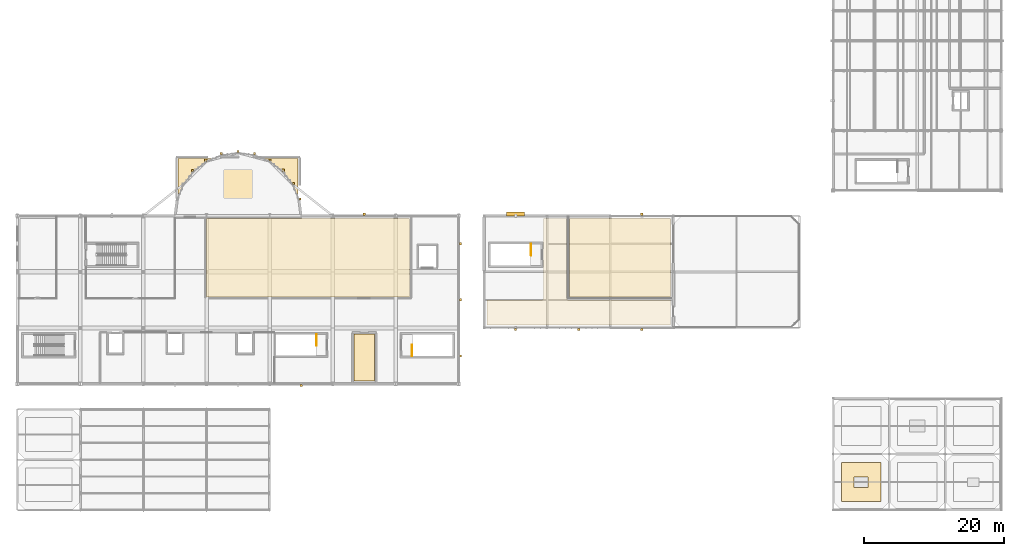
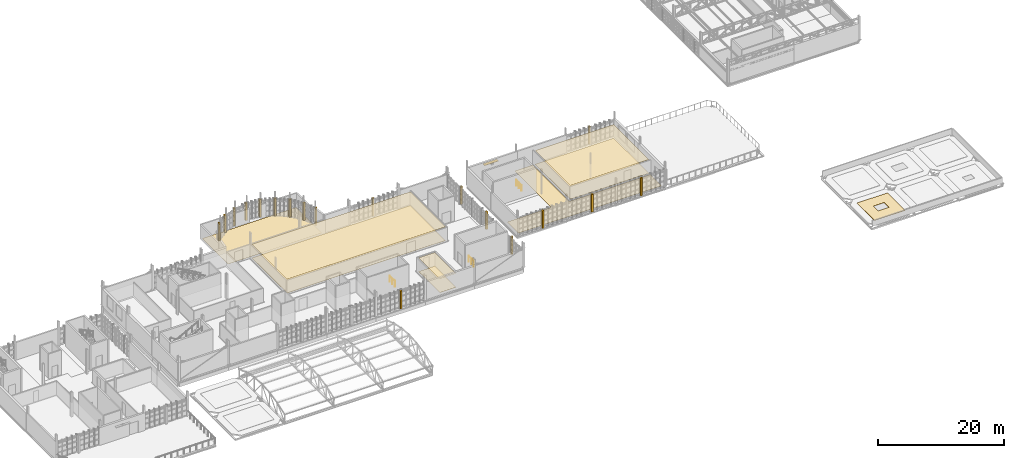
# One storey, part 126 of 128: 27 coverings, 3 railings, 1 shading device.
"""IFC4 building model written with IfcOpenShell, lengths in metres."""

from ifc_helpers import new_model, si_unit, direction, frame, origin, origin_2d, place, context, subcontext, project, spatial, polyline, rectangle, circle, outline, extrude, material, layer, layer_set, type_object, element, save


model = new_model("IFC4")

# Units and contexts
model_context = context("Model", 3, precision=1e-05, world=origin(), true_north=direction((0.0, 1.0)))
body_context = subcontext(model_context, "Body", "Model", "MODEL_VIEW")
ifc_project = project(units=[si_unit("LENGTHUNIT", "METRE"), si_unit("AREAUNIT", "SQUARE_METRE"), si_unit("VOLUMEUNIT", "CUBIC_METRE"), si_unit("PLANEANGLEUNIT", "RADIAN"), si_unit("MASSUNIT", "GRAM", prefix="KILO")], contexts=[model_context])

# Site, building, storey
site_placement = place(None, origin())
site = spatial("IfcSite", under=ifc_project, at=site_placement, CompositionType="ELEMENT")
building_placement = place(site_placement, origin())
building = spatial("IfcBuilding", under=site, at=building_placement, Name="Serraforn Aerial Cableway Station", CompositionType="ELEMENT")
storey_placement = place(building_placement, frame((0.0, 0.0, 9.0)))
storey = spatial("IfcBuildingStorey", under=building, at=storey_placement, Name="L02", CompositionType="ELEMENT", Elevation=9.0)

# Coverings
ifc_material_1 = material(Name="Fluted patinated bronze Art Deco pilaster cladding")
ifc_layer_1 = layer(ifc_material_1, 0.034912109375)
ifc_layer_set_1 = layer_set([ifc_layer_1], Name="Fluted patinated bronze Art Deco pilaster cladding")
covering_type_1 = type_object("IfcCoveringType", Name="COV-CLAD-BRZ", PredefinedType="CLADDING", material=ifc_layer_set_1)
covering_1_placement = place(storey_placement, origin())
element("IfcCovering", 1, at=covering_1_placement, inside=storey, type_object=covering_type_1, Name="Art Deco Bronze Pilaster Cladding CV-L02-S5", PredefinedType="CLADDING", context=body_context, shape_type="SweptSolid", body=[
    extrude(outline(polyline([(67.93994140625, 17.6201171875), (68.260009765625, 17.6201171875), (68.260009765625, 17.93994140625), (67.93994140625, 17.93994140625), (67.93994140625, 17.6201171875)])), origin(), (0.0, 0.0, 1.0), 3.419921875),
])
covering_2_placement = place(storey_placement, origin())
element("IfcCovering", 2, at=covering_2_placement, inside=storey, type_object=covering_type_1, Name="Art Deco Bronze Pilaster Cladding CV-L02-N6", PredefinedType="CLADDING", context=body_context, shape_type="SweptSolid", body=[
    extrude(outline(polyline([(76.93994140625, 42.06005859375), (77.260009765625, 42.06005859375), (77.260009765625, 42.3798828125), (76.93994140625, 42.3798828125), (76.93994140625, 42.06005859375)])), origin(), (0.0, 0.0, 1.0), 3.419921875),
])
covering_3_placement = place(storey_placement, origin())
element("IfcCovering", 3, at=covering_3_placement, inside=storey, type_object=covering_type_1, Name="Art Deco Bronze Pilaster Cladding CV-L02-E1", PredefinedType="CLADDING", context=body_context, shape_type="SweptSolid", body=[
    extrude(outline(polyline([(90.659912109375, 21.840087890625), (90.97998046875, 21.840087890625), (90.97998046875, 22.159912109375), (90.659912109375, 22.159912109375), (90.659912109375, 21.840087890625)])), origin(), (0.0, 0.0, 1.0), 3.419921875),
])
covering_4_placement = place(storey_placement, origin())
element("IfcCovering", 4, at=covering_4_placement, inside=storey, type_object=covering_type_1, Name="Art Deco Bronze Pilaster Cladding CV-L02-E2", PredefinedType="CLADDING", context=body_context, shape_type="SweptSolid", body=[
    extrude(outline(polyline([(90.659912109375, 29.840087890625), (90.97998046875, 29.840087890625), (90.97998046875, 30.159912109375), (90.659912109375, 30.159912109375), (90.659912109375, 29.840087890625)])), origin(), (0.0, 0.0, 1.0), 3.419921875),
])
covering_5_placement = place(storey_placement, origin())
element("IfcCovering", 5, at=covering_5_placement, inside=storey, type_object=covering_type_1, Name="Art Deco Bronze Pilaster Cladding CV-L02-E3", PredefinedType="CLADDING", context=body_context, shape_type="SweptSolid", body=[
    extrude(outline(polyline([(90.659912109375, 37.840087890625), (90.97998046875, 37.840087890625), (90.97998046875, 38.159912109375), (90.659912109375, 38.159912109375), (90.659912109375, 37.840087890625)])), origin(), (0.0, 0.0, 1.0), 3.419921875),
])
covering_6_placement = place(storey_placement, origin())
element("IfcCovering", 6, at=covering_6_placement, inside=storey, type_object=covering_type_1, Name="Art Deco Bronze Pilaster Cladding AP-L02-R3", PredefinedType="CLADDING", context=body_context, shape_type="SweptSolid", body=[
    extrude(outline(polyline([(52.452880859375, 48.29833984375), (52.77294921875, 48.29833984375), (52.77294921875, 48.618408203125), (52.452880859375, 48.618408203125), (52.452880859375, 48.29833984375)])), origin(), (0.0, 0.0, 1.0), 3.419921875),
])
covering_7_placement = place(storey_placement, origin())
element("IfcCovering", 7, at=covering_7_placement, inside=storey, type_object=covering_type_1, Name="Art Deco Bronze Pilaster Cladding AP-L02-R4", PredefinedType="CLADDING", context=body_context, shape_type="SweptSolid", body=[
    extrude(outline(polyline([(54.345703125, 49.757080078125), (54.66552734375, 49.757080078125), (54.66552734375, 50.0771484375), (54.345703125, 50.0771484375), (54.345703125, 49.757080078125)])), origin(), (0.0, 0.0, 1.0), 3.419921875),
])
covering_8_placement = place(storey_placement, origin())
element("IfcCovering", 8, at=covering_8_placement, inside=storey, type_object=covering_type_1, Name="Art Deco Bronze Pilaster Cladding AP-L02-R5", PredefinedType="CLADDING", context=body_context, shape_type="SweptSolid", body=[
    extrude(outline(polyline([(56.55126953125, 50.676513671875), (56.871337890625, 50.676513671875), (56.871337890625, 50.99658203125), (56.55126953125, 50.99658203125), (56.55126953125, 50.676513671875)])), origin(), (0.0, 0.0, 1.0), 3.419921875),
])
covering_9_placement = place(storey_placement, origin())
element("IfcCovering", 9, at=covering_9_placement, inside=storey, type_object=covering_type_1, Name="Art Deco Bronze Pilaster Cladding AP-L02-R6", PredefinedType="CLADDING", context=body_context, shape_type="SweptSolid", body=[
    extrude(outline(polyline([(58.919921875, 50.99365234375), (59.23974609375, 50.99365234375), (59.23974609375, 51.313720703125), (58.919921875, 51.313720703125), (58.919921875, 50.99365234375)])), origin(), (0.0, 0.0, 1.0), 3.419921875),
])
covering_10_placement = place(storey_placement, origin())
element("IfcCovering", 10, at=covering_10_placement, inside=storey, type_object=covering_type_1, Name="Art Deco Bronze Pilaster Cladding AP-L02-R7", PredefinedType="CLADDING", context=body_context, shape_type="SweptSolid", body=[
    extrude(outline(polyline([(61.28955078125, 50.68701171875), (61.609619140625, 50.68701171875), (61.609619140625, 51.007080078125), (61.28955078125, 51.007080078125), (61.28955078125, 50.68701171875)])), origin(), (0.0, 0.0, 1.0), 3.419921875),
])
covering_11_placement = place(storey_placement, origin())
element("IfcCovering", 11, at=covering_11_placement, inside=storey, type_object=covering_type_1, Name="Art Deco Bronze Pilaster Cladding AP-L02-R8", PredefinedType="CLADDING", context=body_context, shape_type="SweptSolid", body=[
    extrude(outline(polyline([(63.499267578125, 49.77734375), (63.8193359375, 49.77734375), (63.8193359375, 50.097412109375), (63.499267578125, 50.097412109375), (63.499267578125, 49.77734375)])), origin(), (0.0, 0.0, 1.0), 3.419921875),
])
covering_12_placement = place(storey_placement, origin())
element("IfcCovering", 12, at=covering_12_placement, inside=storey, type_object=covering_type_1, Name="Art Deco Bronze Pilaster Cladding AP-L02-R9", PredefinedType="CLADDING", context=body_context, shape_type="SweptSolid", body=[
    extrude(outline(polyline([(65.3984375, 48.326904296875), (65.718505859375, 48.326904296875), (65.718505859375, 48.64697265625), (65.3984375, 48.64697265625), (65.3984375, 48.326904296875)])), origin(), (0.0, 0.0, 1.0), 3.419921875),
])
covering_13_placement = place(storey_placement, origin())
element("IfcCovering", 13, at=covering_13_placement, inside=storey, type_object=covering_type_1, Name="Art Deco Bronze Pilaster Cladding AP-L02-R10", PredefinedType="CLADDING", context=body_context, shape_type="SweptSolid", body=[
    extrude(outline(polyline([(66.857177734375, 46.434326171875), (67.17724609375, 46.434326171875), (67.17724609375, 46.75439453125), (66.857177734375, 46.75439453125), (66.857177734375, 46.434326171875)])), origin(), (0.0, 0.0, 1.0), 3.419921875),
])
covering_14_placement = place(storey_placement, origin())
element("IfcCovering", 14, at=covering_14_placement, inside=storey, type_object=covering_type_1, Name="Art Deco Bronze Pilaster Cladding AP-L02-R11", PredefinedType="CLADDING", context=body_context, shape_type="SweptSolid", body=[
    extrude(outline(polyline([(67.776611328125, 44.228759765625), (68.096435546875, 44.228759765625), (68.096435546875, 44.548583984375), (67.776611328125, 44.548583984375), (67.776611328125, 44.228759765625)])), origin(), (0.0, 0.0, 1.0), 3.419921875),
])
covering_15_placement = place(storey_placement, origin())
element("IfcCovering", 15, at=covering_15_placement, inside=storey, type_object=covering_type_1, Name="Art Deco Bronze Pilaster Cladding EL-L02-S1", PredefinedType="CLADDING", context=body_context, shape_type="SweptSolid", body=[
    extrude(outline(polyline([(98.5400390625, 25.6201171875), (98.860107421875, 25.6201171875), (98.860107421875, 25.93994140625), (98.5400390625, 25.93994140625), (98.5400390625, 25.6201171875)])), origin(), (0.0, 0.0, 1.0), 3.419921875),
])
covering_16_placement = place(storey_placement, origin())
element("IfcCovering", 16, at=covering_16_placement, inside=storey, type_object=covering_type_1, Name="Art Deco Bronze Pilaster Cladding EL-L02-S2", PredefinedType="CLADDING", context=body_context, shape_type="SweptSolid", body=[
    extrude(outline(polyline([(107.5400390625, 25.6201171875), (107.860107421875, 25.6201171875), (107.860107421875, 25.93994140625), (107.5400390625, 25.93994140625), (107.5400390625, 25.6201171875)])), origin(), (0.0, 0.0, 1.0), 3.419921875),
])
covering_17_placement = place(storey_placement, origin())
element("IfcCovering", 17, at=covering_17_placement, inside=storey, type_object=covering_type_1, Name="Art Deco Bronze Pilaster Cladding EL-L02-S3", PredefinedType="CLADDING", context=body_context, shape_type="SweptSolid", body=[
    extrude(outline(polyline([(116.5400390625, 25.6201171875), (116.860107421875, 25.6201171875), (116.860107421875, 25.93994140625), (116.5400390625, 25.93994140625), (116.5400390625, 25.6201171875)])), origin(), (0.0, 0.0, 1.0), 3.419921875),
])
covering_18_placement = place(storey_placement, origin())
element("IfcCovering", 18, at=covering_18_placement, inside=storey, type_object=covering_type_1, Name="Art Deco Bronze Pilaster Cladding EL-L02-N3", PredefinedType="CLADDING", context=body_context, shape_type="SweptSolid", body=[
    extrude(outline(polyline([(116.5400390625, 42.06005859375), (116.860107421875, 42.06005859375), (116.860107421875, 42.3798828125), (116.5400390625, 42.3798828125), (116.5400390625, 42.06005859375)])), origin(), (0.0, 0.0, 1.0), 3.419921875),
])
ifc_material_2 = material(Name="Perforated acoustic mineral ceiling")
ifc_layer_2 = layer(ifc_material_2, 0.02490234375)
ifc_layer_set_2 = layer_set([ifc_layer_2], Name="Perforated acoustic mineral ceiling")
covering_type_2 = type_object("IfcCoveringType", Name="COV-CLG-AC", PredefinedType="CEILING", material=ifc_layer_set_2)
covering_19_placement = place(storey_placement, frame((0.0, 0.0, 2.659912109375)))
element("IfcCovering", 19, at=covering_19_placement, inside=storey, type_object=covering_type_2, Name="Suspended Ceiling L02-11", PredefinedType="CEILING", context=body_context, shape_type="SweptSolid", body=[
    extrude(outline(polyline([(106.419921875, 30.419921875), (106.419921875, 41.580078125), (120.780029296875, 41.580078125), (120.780029296875, 30.419921875), (106.419921875, 30.419921875)])), origin(), (0.0, 0.0, 1.0), 0.025146484375),
])
ifc_material_3 = material(Name="Fire-protective gypsum board ceiling")
ifc_layer_3 = layer(ifc_material_3, 0.02001953125)
ifc_layer_set_3 = layer_set([ifc_layer_3], Name="Fire-protective gypsum board ceiling")
covering_type_3 = type_object("IfcCoveringType", Name="COV-CLG-GYP", PredefinedType="CEILING", material=ifc_layer_set_3)
covering_20_placement = place(storey_placement, frame((0.0, 0.0, 2.659912109375)))
element("IfcCovering", 20, at=covering_20_placement, inside=storey, type_object=covering_type_3, Name="Suspended Ceiling L02-09", PredefinedType="CEILING", context=body_context, shape_type="SweptSolid", body=[
    extrude(outline(polyline([(75.6201171875, 18.419921875), (75.6201171875, 25.1298828125), (78.580078125, 25.1298828125), (78.580078125, 18.419921875), (75.6201171875, 18.419921875)])), origin(), (0.0, 0.0, 1.0), 0.02001953125),
])
ifc_material_4 = material(Name="Slatted Catalan chestnut acoustic ceiling")
ifc_layer_4 = layer(ifc_material_4, 0.034912109375)
ifc_layer_set_4 = layer_set([ifc_layer_4], Name="Slatted Catalan chestnut acoustic ceiling")
covering_type_4 = type_object("IfcCoveringType", Name="COV-CLG-WD", PredefinedType="CEILING", material=ifc_layer_set_4)
covering_21_placement = place(storey_placement, frame((0.0, 0.0, 2.659912109375)))
element("IfcCovering", 21, at=covering_21_placement, inside=storey, type_object=covering_type_4, Name="Suspended Ceiling L02-05", PredefinedType="CEILING", context=body_context, shape_type="SweptSolid", body=[
    extrude(outline(polyline([(54.6201171875, 30.419921875), (54.6201171875, 41.580078125), (83.580078125, 41.580078125), (83.580078125, 30.419921875), (54.6201171875, 30.419921875)])), origin(), (0.0, 0.0, 1.0), 0.03515625),
])
ifc_material_5 = material(Name="Heavy-duty non-slip quartz epoxy floor")
ifc_layer_5 = layer(ifc_material_5, 0.014892578125)
ifc_layer_set_5 = layer_set([ifc_layer_5], Name="Heavy-duty non-slip quartz epoxy floor")
covering_type_5 = type_object("IfcCoveringType", Name="COV-FLR-EPOX", PredefinedType="FLOORING", material=ifc_layer_set_5)
covering_22_placement = place(storey_placement, origin())
element("IfcCovering", 22, at=covering_22_placement, inside=storey, type_object=covering_type_5, Name="Flooring L02-06", PredefinedType="FLOORING", context=body_context, shape_type="SweptSolid", body=[
    extrude(outline(polyline([(50.52001953125, 42.02001953125), (50.52001953125, 50.179931640625), (67.679931640625, 50.179931640625), (67.679931640625, 42.02001953125), (50.52001953125, 42.02001953125)])), origin(), (0.0, 0.0, 1.0), 0.014892578125),
])
ifc_material_6 = material(Name="Honed Montjuic limestone flooring", Category="masonry")
ifc_layer_6 = layer(ifc_material_6, 0.030029296875)
ifc_layer_set_6 = layer_set([ifc_layer_6], Name="Honed Montjuic limestone flooring")
covering_type_6 = type_object("IfcCoveringType", Name="COV-FLR-STN", PredefinedType="FLOORING", material=ifc_layer_set_6)
covering_23_placement = place(storey_placement, origin())
element("IfcCovering", 23, at=covering_23_placement, inside=storey, type_object=covering_type_6, Name="Flooring L02-10", PredefinedType="FLOORING", context=body_context, shape_type="SweptSolid", body=[
    extrude(outline(polyline([(120.780029296875, 26.419921875), (94.6201171875, 26.419921875), (94.6201171875, 29.97998046875), (102.449951171875, 29.97998046875), (102.4716796875, 29.981201171875), (102.492919921875, 29.984130859375), (102.513916015625, 29.989501953125), (102.5341796875, 29.99658203125), (102.5537109375, 30.006103515625), (102.572265625, 30.01708984375), (102.589599609375, 30.02978515625), (102.605712890625, 30.04443359375), (102.6201171875, 30.060302734375), (102.6328125, 30.077880859375), (102.64404296875, 30.09619140625), (102.6533203125, 30.11572265625), (102.660400390625, 30.135986328125), (102.665771484375, 30.156982421875), (102.6689453125, 30.178466796875), (102.669921875, 30.199951171875), (102.669921875, 41.580078125), (105.97998046875, 41.580078125), (105.97998046875, 30.199951171875), (105.981201171875, 30.178466796875), (105.984130859375, 30.156982421875), (105.989501953125, 30.135986328125), (105.99658203125, 30.11572265625), (106.006103515625, 30.09619140625), (106.01708984375, 30.077880859375), (106.02978515625, 30.060302734375), (106.04443359375, 30.04443359375), (106.060302734375, 30.02978515625), (106.077880859375, 30.01708984375), (106.09619140625, 30.006103515625), (106.11572265625, 29.99658203125), (106.135986328125, 29.989501953125), (106.156982421875, 29.984130859375), (106.178466796875, 29.981201171875), (106.199951171875, 29.97998046875), (120.780029296875, 29.97998046875), (120.780029296875, 26.419921875)])), origin(), (0.0, 0.0, 1.0), 0.030029296875),
])
covering_24_placement = place(storey_placement, origin())
element("IfcCovering", 24, at=covering_24_placement, inside=storey, type_object=covering_type_6, Name="Flooring L02-09", PredefinedType="FLOORING", context=body_context, shape_type="SweptSolid", body=[
    extrude(outline(polyline([(75.6201171875, 18.419921875), (75.6201171875, 25.1298828125), (78.580078125, 25.1298828125), (78.580078125, 18.419921875), (75.6201171875, 18.419921875)])), origin(), (0.0, 0.0, 1.0), 0.030029296875),
])
covering_25_placement = place(storey_placement, origin())
element("IfcCovering", 25, at=covering_25_placement, inside=storey, type_object=covering_type_6, Name="Flooring L02-05", PredefinedType="FLOORING", context=body_context, shape_type="SweptSolid", body=[
    extrude(outline(polyline([(54.6201171875, 30.419921875), (54.6201171875, 41.580078125), (83.580078125, 41.580078125), (83.580078125, 30.419921875), (54.6201171875, 30.419921875)])), origin(), (0.0, 0.0, 1.0), 0.030029296875),
])
ifc_material_7 = material(Name="Catalan oak parquet flooring")
ifc_layer_7 = layer(ifc_material_7, 0.02197265625)
ifc_layer_set_7 = layer_set([ifc_layer_7], Name="Catalan oak parquet flooring")
covering_type_7 = type_object("IfcCoveringType", Name="COV-FLR-WD", PredefinedType="FLOORING", material=ifc_layer_set_7)
covering_26_placement = place(storey_placement, origin())
element("IfcCovering", 26, at=covering_26_placement, inside=storey, type_object=covering_type_7, Name="Flooring L02-11", PredefinedType="FLOORING", context=body_context, shape_type="SweptSolid", body=[
    extrude(outline(polyline([(106.419921875, 30.419921875), (106.419921875, 41.580078125), (120.780029296875, 41.580078125), (120.780029296875, 30.419921875), (106.419921875, 30.419921875)])), origin(), (0.0, 0.0, 1.0), 0.02197265625),
])
ifc_material_8 = material(Name="Standing-seam patinated copper roofing")
ifc_layer_8 = layer(ifc_material_8, 0.0400390625)
ifc_layer_set_8 = layer_set([ifc_layer_8], Name="Standing-seam patinated copper roofing")
covering_type_8 = type_object("IfcCoveringType", Name="COV-ROOF-COP", PredefinedType="ROOFING", material=ifc_layer_set_8)
covering_27_placement = place(storey_placement, origin())
element("IfcCovering", 27, at=covering_27_placement, inside=storey, type_object=covering_type_8, Name="Roof Covering ES-L02-1-1", PredefinedType="ROOFING", context=body_context, shape_type="SweptSolid", body=[
    extrude(outline(polyline([(145.199951171875, 1.199951171875), (150.800048828125, 1.199951171875), (150.800048828125, 6.800048828125), (145.199951171875, 6.800048828125), (145.199951171875, 1.199951171875)]), holes=[polyline([(147.0, 3.25), (149.0, 3.25), (149.0, 4.75), (147.0, 4.75), (147.0, 3.25)])]), origin(), (0.0, 0.0, 1.0), 0.0400390625),
])

# Railings
ifc_material_9 = material(Name="Patinated bronze stair guardrail")
ifc_layer_9 = layer(ifc_material_9, 0.050048828125)
ifc_layer_set_9 = layer_set([ifc_layer_9], Name="Patinated bronze stair guardrail")
railing_type = type_object("IfcRailingType", Name="RL-STR-GRD", PredefinedType="GUARDRAIL", material=ifc_layer_set_9)
railing_1_placement = place(storey_placement, frame((70.300048828125, 25.06005859375, 0.0)))
element("IfcRailing", 28, at=railing_1_placement, inside=storey, type_object=railing_type, Name="L02 ST-05 top well guard 1", PredefinedType="GUARDRAIL", context=body_context, shape_type="SweptSolid", body=[
    extrude(circle(Radius=0.02392578125, at=origin_2d()), frame((0.0, 0.0, 1.076171875), z_axis=(0.0, -1.0, 0.0), x_axis=(1.0, 0.0, 0.0)), (0.0, 0.0, 1.0), 1.610107421875),
    extrude(circle(Radius=0.02099609375, at=origin_2d()), origin(), (0.0, 0.0, 1.0), 1.052001953125),
    extrude(circle(Radius=0.02099609375, at=origin_2d()), frame((0.0, -0.80517578125, 0.0)), (0.0, 0.0, 1.0), 1.052001953125),
    extrude(circle(Radius=0.02099609375, at=origin_2d()), frame((0.0, -1.610107421875, 0.0)), (0.0, 0.0, 1.0), 1.052001953125),
])
railing_2_placement = place(storey_placement, frame((83.89990234375, 22.0, 0.0)))
element("IfcRailing", 29, at=railing_2_placement, inside=storey, type_object=railing_type, Name="L02 ST-13 top well guard 1", PredefinedType="GUARDRAIL", context=body_context, shape_type="SweptSolid", body=[
    extrude(circle(Radius=0.02392578125, at=origin_2d()), frame((0.0, 0.0, 1.076171875), z_axis=(0.0, 1.0, 0.0), x_axis=(-1.0, 0.0, 0.0)), (0.0, 0.0, 1.0), 1.610107421875),
    extrude(circle(Radius=0.02099609375, at=origin_2d()), origin(), (0.0, 0.0, 1.0), 1.052001953125),
    extrude(circle(Radius=0.02099609375, at=origin_2d()), frame((0.0, 0.80517578125, 0.0)), (0.0, 0.0, 1.0), 1.052001953125),
    extrude(circle(Radius=0.02099609375, at=origin_2d()), frame((0.0, 1.610107421875, 0.0)), (0.0, 0.0, 1.0), 1.052001953125),
])
railing_3_placement = place(storey_placement, frame((100.89990234375, 37.9599609375, 0.0)))
element("IfcRailing", 30, at=railing_3_placement, inside=storey, type_object=railing_type, Name="L02 ST-08 top well guard 1", PredefinedType="GUARDRAIL", context=body_context, shape_type="SweptSolid", body=[
    extrude(circle(Radius=0.02392578125, at=origin_2d()), frame((0.0, 0.0, 1.076171875), z_axis=(0.0, -1.0, 0.0), x_axis=(1.0, 0.0, 0.0)), (0.0, 0.0, 1.0), 1.60986328125),
    extrude(circle(Radius=0.02099609375, at=origin_2d()), origin(), (0.0, 0.0, 1.0), 1.052001953125),
    extrude(circle(Radius=0.02099609375, at=origin_2d()), frame((0.0, -0.804931640625, 0.0)), (0.0, 0.0, 1.0), 1.052001953125),
    extrude(circle(Radius=0.02099609375, at=origin_2d()), frame((0.0, -1.60986328125, 0.0)), (0.0, 0.0, 1.0), 1.052001953125),
])

# Shading device
ifc_material_10 = material(Name="Anodised bronze solar brise-soleil louvre")
ifc_layer_10 = layer(ifc_material_10, 0.080078125)
ifc_layer_set_10 = layer_set([ifc_layer_10], Name="Anodised bronze solar brise-soleil louvre")
shading_device_type = type_object("IfcShadingDeviceType", Name="SHD-LOUVRE", PredefinedType="USERDEFINED", material=ifc_layer_set_10)
shading_device_placement = place(storey_placement, frame((98.699951171875, 42.25, 2.60986328125), z_axis=(0.0, 0.0, 1.0), x_axis=(1.0, 0.0, 0.0)))
element("IfcShadingDevice", 31, at=shading_device_placement, inside=storey, type_object=shading_device_type, Name="Art Deco Bronze Brise-Soleil 10", ObjectType="SUNSHADE", PredefinedType="USERDEFINED", context=body_context, shape_type="SweptSolid", body=[
    extrude(rectangle(XDim=2.60009765625, YDim=0.550048828125, at=origin_2d()), origin(), (0.0, 0.0, 1.0), 0.080078125),
])

save(model, "model.ifc")
